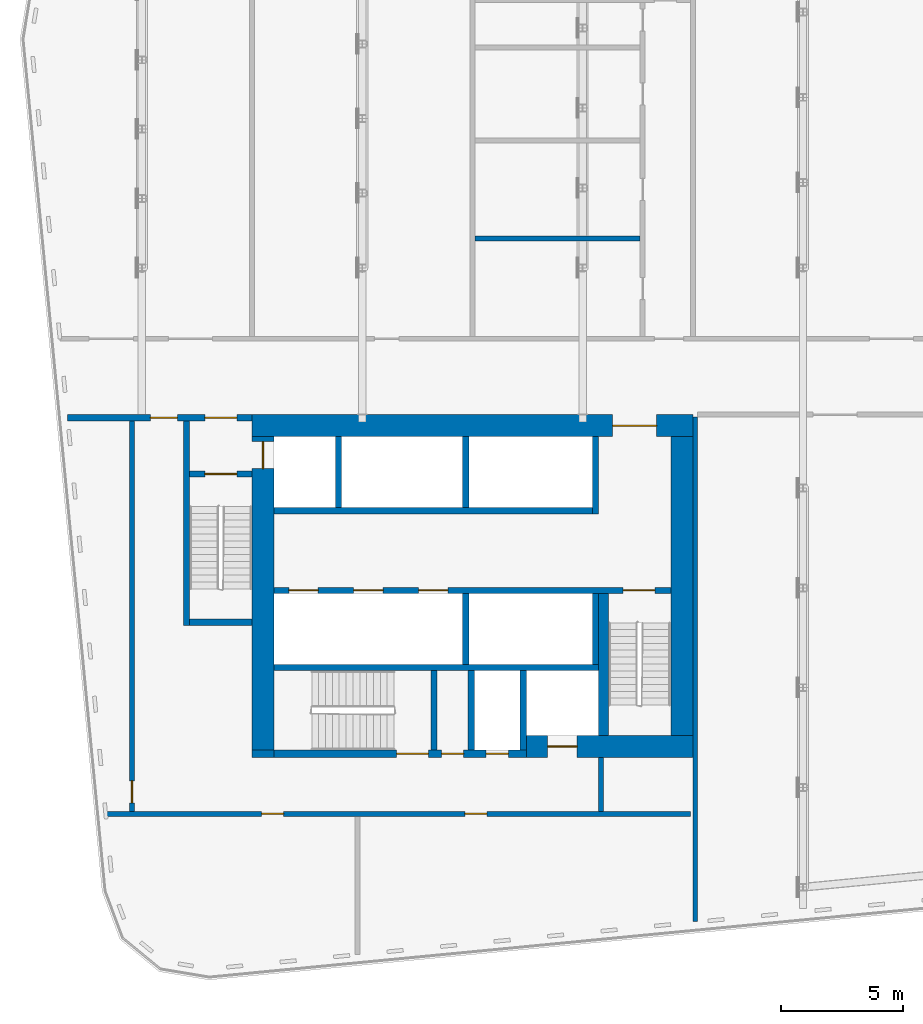
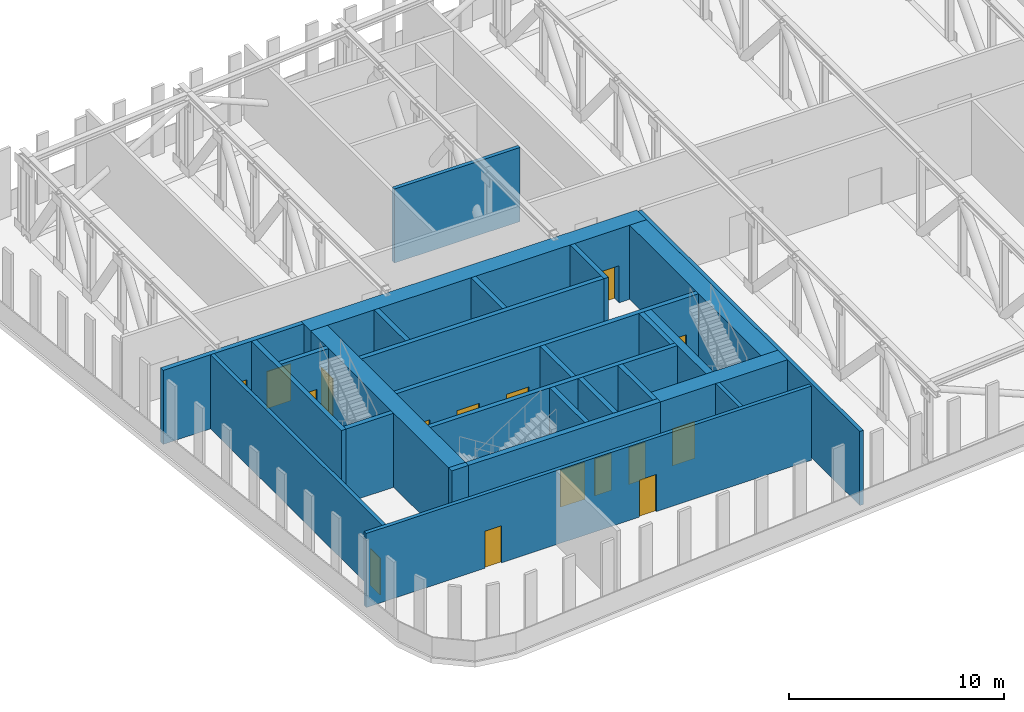
# One storey, part 8 of 22: 27 walls, 16 doors, 16 openings.
"""IFC4 building model written with IfcOpenShell, lengths in metres."""

from ifc_helpers import new_model, si_unit, direction, frame, frame_2d, origin, place, context, subcontext, project, spatial, rectangle, extrude, material, layer, layer_set, type_object, element, fill, save


model = new_model("IFC4")

# Units and contexts
model_context = context("Model", 3, precision=1e-05, world=origin(), true_north=direction((0.0, 1.0)))
body_context = subcontext(model_context, "Body", "Model", "MODEL_VIEW")
ifc_project = project(units=[si_unit("LENGTHUNIT", "METRE"), si_unit("AREAUNIT", "SQUARE_METRE"), si_unit("VOLUMEUNIT", "CUBIC_METRE"), si_unit("PLANEANGLEUNIT", "RADIAN"), si_unit("MASSUNIT", "GRAM", prefix="KILO")], contexts=[model_context])

# Site, building, storey
site_placement = place(None, origin())
site = spatial("IfcSite", under=ifc_project, at=site_placement, CompositionType="ELEMENT")
building_placement = place(site_placement, origin())
building = spatial("IfcBuilding", under=site, at=building_placement, Name="Kajstack Hotel Tower", CompositionType="ELEMENT")
storey_placement = place(building_placement, frame((0.0, 0.0, 150.39990234375)))
storey = spatial("IfcBuildingStorey", under=building, at=storey_placement, Name="L35", CompositionType="ELEMENT", Elevation=150.39990234375)

# Wall, opening, door
ifc_material_1 = material(Name="Concrete C60/75", Category="concrete")
ifc_layer_1 = layer(ifc_material_1, 0.89990234375)
ifc_layer_set_1 = layer_set([ifc_layer_1], Name="Core wall 900")
wall_type_1 = type_object("IfcWallType", Name="Core wall 900", PredefinedType="SHEAR", material=ifc_layer_set_1)
wall_1_placement = place(storey_placement, frame((-31.5, -1.949951171875, 0.0), z_axis=(0.0, 0.0, 1.0), x_axis=(1.0, 0.0, 0.0)))
wall_1 = element("IfcWall", 1, at=wall_1_placement, inside=storey, type_object=wall_type_1, Name="Core wall W RN", PredefinedType="SHEAR", context=body_context, shape_type="SweptSolid", body=[
    extrude(rectangle(XDim=18.0, YDim=0.89990234375, at=frame_2d((9.0, 0.0))), origin(), (0.0, 0.0, 1.0), 4.2001953125),
])
opening_1_placement = place(wall_1_placement, frame((14.72509765625, 0.0, 0.0)))
opening_1 = element("IfcOpeningElement", 2, at=opening_1_placement, cuts=wall_1, Name="Opening 35W06", PredefinedType="OPENING", context=body_context, shape_type="SweptSolid", body=[
    extrude(rectangle(XDim=1.800048828125, YDim=2.10009765625, at=frame_2d((0.89990234375, 1.050048828125))), frame((0.0, 0.4599609375, 0.0), z_axis=(0.0, -1.0, 0.0), x_axis=(1.0, 0.0, 0.0)), (0.0, 0.0, 1.0), 0.919921875),
])
ifc_material_2 = material(Name="Glazed steel frame, fire-rated glass", Category="steel")
door_type_1 = type_object("IfcDoorType", Name="Lobby double door 1800", OperationType="DOUBLE_DOOR_DOUBLE_SWING", PredefinedType="DOOR", material=ifc_material_2)
door_1_placement = place(opening_1_placement, origin())
door_1 = element("IfcDoor", 3, at=door_1_placement, inside=storey, type_object=door_type_1, Name="Door 35W06", OperationType="DOUBLE_DOOR_DOUBLE_SWING", OverallHeight=2.10009765625, OverallWidth=1.800048828125, PredefinedType="DOOR", context=body_context, shape_type="SweptSolid", body=[
    extrude(rectangle(XDim=1.800048828125, YDim=2.10009765625, at=frame_2d((0.89990234375, 1.050048828125))), frame((0.0, 0.02490234375, 0.0), z_axis=(0.0, -1.0, 0.0), x_axis=(1.0, 0.0, 0.0)), (0.0, 0.0, 1.0), 0.050048828125),
])
fill(opening_1, door_1)

wall_2_placement = place(storey_placement, frame((-20.300048828125, -15.050048828125, 0.0), z_axis=(0.0, 0.0, 1.0), x_axis=(1.0, 0.0, 0.0)))
wall_2 = element("IfcWall", 4, at=wall_2_placement, inside=storey, type_object=wall_type_1, Name="Core wall W RS", PredefinedType="SHEAR", context=body_context, shape_type="SweptSolid", body=[
    extrude(rectangle(XDim=6.800048828125, YDim=0.89990234375, at=frame_2d((3.39990234375, 0.0))), origin(), (0.0, 0.0, 1.0), 4.2001953125),
])
opening_2_placement = place(wall_2_placement, frame((0.875, 0.0, 0.0)))
opening_2 = element("IfcOpeningElement", 5, at=opening_2_placement, cuts=wall_2, Name="Opening LD-SV1", PredefinedType="OPENING", context=body_context, shape_type="SweptSolid", body=[
    extrude(rectangle(XDim=1.199951171875, YDim=2.10009765625, at=frame_2d((0.60009765625, 1.050048828125))), frame((0.0, 0.4599609375, 0.0), z_axis=(0.0, -1.0, 0.0), x_axis=(1.0, 0.0, 0.0)), (0.0, 0.0, 1.0), 0.919921875),
])
ifc_material_3 = material(Name="Stainless steel", Category="steel")
door_type_2 = type_object("IfcDoorType", Name="Lift landing door 1200", OperationType="SLIDING_TO_LEFT", PredefinedType="DOOR", material=ifc_material_3)
door_2_placement = place(opening_2_placement, origin())
door_2 = element("IfcDoor", 6, at=door_2_placement, inside=storey, type_object=door_type_2, Name="Landing door SV1", OperationType="SLIDING_TO_LEFT", OverallHeight=2.10009765625, OverallWidth=1.199951171875, PredefinedType="DOOR", context=body_context, shape_type="SweptSolid", body=[
    extrude(rectangle(XDim=1.199951171875, YDim=2.10009765625, at=frame_2d((0.60009765625, 1.050048828125))), frame((0.0, 0.02490234375, 0.0), z_axis=(0.0, -1.0, 0.0), x_axis=(1.0, 0.0, 0.0)), (0.0, 0.0, 1.0), 0.050048828125),
])
fill(opening_2, door_2)

# Wall
wall_3_placement = place(storey_placement, frame((-31.5, -15.35009765625, 0.0), z_axis=(0.0, 0.0, 1.0), x_axis=(1.0, 0.0, 0.0)))
element("IfcWall", 7, at=wall_3_placement, inside=storey, type_object=wall_type_1, Name="Core wall W RSW", PredefinedType="SHEAR", context=body_context, shape_type="SweptSolid", body=[
    extrude(rectangle(XDim=0.89990234375, YDim=0.300048828125, at=frame_2d((0.449951171875, 0.0))), origin(), (0.0, 0.0, 1.0), 4.2001953125),
])

# Wall, opening, door
wall_4_placement = place(storey_placement, frame((-31.050048828125, -15.199951171875, 0.0), z_axis=(0.0, 0.0, 1.0), x_axis=(0.0, 1.0, 0.0)))
wall_4 = element("IfcWall", 8, at=wall_4_placement, inside=storey, type_object=wall_type_1, Name="Core wall W RW", PredefinedType="SHEAR", context=body_context, shape_type="SweptSolid", body=[
    extrude(rectangle(XDim=12.800048828125, YDim=0.89990234375, at=frame_2d((6.39990234375, 0.0))), origin(), (0.0, 0.0, 1.0), 4.2001953125),
])
opening_3_placement = place(wall_4_placement, frame((11.5, 0.0, 0.0)))
opening_3 = element("IfcOpeningElement", 9, at=opening_3_placement, cuts=wall_4, Name="Opening LD-FF1", PredefinedType="OPENING", context=body_context, shape_type="SweptSolid", body=[
    extrude(rectangle(XDim=1.10009765625, YDim=2.10009765625, at=frame_2d((0.550048828125, 1.050048828125))), frame((0.0, 0.4599609375, 0.0), z_axis=(0.0, -1.0, 0.0), x_axis=(1.0, 0.0, 0.0)), (0.0, 0.0, 1.0), 0.919921875),
])
door_type_3 = type_object("IfcDoorType", Name="Fire-fighting lift landing door 1100", OperationType="SLIDING_TO_LEFT", PredefinedType="DOOR", material=ifc_material_3)
door_3_placement = place(opening_3_placement, origin())
door_3 = element("IfcDoor", 10, at=door_3_placement, inside=storey, type_object=door_type_3, Name="Landing door FF1", OperationType="SLIDING_TO_RIGHT", OverallHeight=2.10009765625, OverallWidth=1.10009765625, PredefinedType="DOOR", context=body_context, shape_type="SweptSolid", body=[
    extrude(rectangle(XDim=1.10009765625, YDim=2.10009765625, at=frame_2d((0.550048828125, 1.050048828125))), frame((0.0, 0.02490234375, 0.0), z_axis=(0.0, -1.0, 0.0), x_axis=(1.0, 0.0, 0.0)), (0.0, 0.0, 1.0), 0.050048828125),
])
fill(opening_3, door_3)

# Walls
wall_5_placement = place(storey_placement, frame((-13.949951171875, -14.60009765625, 0.0), z_axis=(0.0, 0.0, 1.0), x_axis=(0.0, 1.0, 0.0)))
element("IfcWall", 11, at=wall_5_placement, inside=storey, type_object=wall_type_1, Name="Core wall W RE", PredefinedType="SHEAR", context=body_context, shape_type="SweptSolid", body=[
    extrude(rectangle(XDim=12.2001953125, YDim=0.89990234375, at=frame_2d((6.10009765625, 0.0))), origin(), (0.0, 0.0, 1.0), 4.2001953125),
])
ifc_material_4 = material(Name="Concrete C50/60", Category="concrete")
ifc_layer_2 = layer(ifc_material_4, 0.300048828125)
ifc_layer_set_2 = layer_set([ifc_layer_2], Name="Hoistway divider wall 300")
wall_type_2 = type_object("IfcWallType", Name="Hoistway divider wall 300", PredefinedType="SHEAR", material=ifc_layer_set_2)
wall_6_placement = place(storey_placement, frame((-22.77490234375, -5.300048828125, 0.0), z_axis=(0.0, 0.0, 1.0), x_axis=(0.0, 1.0, 0.0)))
element("IfcWall", 12, at=wall_6_placement, inside=storey, type_object=wall_type_2, Name="Core wall W AP2", PredefinedType="SHEAR", context=body_context, shape_type="SweptSolid", body=[
    extrude(rectangle(XDim=2.900146484375, YDim=0.25, at=frame_2d((1.4501953125, 0.0))), origin(), (0.0, 0.0, 1.0), 4.2001953125),
])
wall_7_placement = place(storey_placement, frame((-22.77490234375, -11.699951171875, 0.0), z_axis=(0.0, 0.0, 1.0), x_axis=(0.0, 1.0, 0.0)))
element("IfcWall", 13, at=wall_7_placement, inside=storey, type_object=wall_type_2, Name="Core wall W BP2", PredefinedType="SHEAR", context=body_context, shape_type="SweptSolid", body=[
    extrude(rectangle(XDim=2.89990234375, YDim=0.25, at=frame_2d((1.449951171875, 0.0))), origin(), (0.0, 0.0, 1.0), 4.2001953125),
])
ifc_material_5 = material(Name="Gypsum board on steel studs, mineral wool", Category="steel")
ifc_layer_3 = layer(ifc_material_5, 0.199951171875)
ifc_layer_set_3 = layer_set([ifc_layer_3], Name="Public partition 200")
wall_type_3 = type_object("IfcWallType", Name="Public partition 200", PredefinedType="PARTITIONING", material=ifc_layer_set_3)
wall_8_placement = place(storey_placement, frame((-22.39990234375, 5.699951171875, 0.0), z_axis=(0.0, 0.0, 1.0), x_axis=(1.0, 0.0, 0.0)))
element("IfcWall", 14, at=wall_8_placement, inside=storey, type_object=wall_type_3, Name="Partition C1wP0", PredefinedType="PARTITIONING", context=body_context, shape_type="SweptSolid", body=[
    extrude(rectangle(XDim=6.75, YDim=0.199951171875, at=frame_2d((3.375, 0.0))), origin(), (0.0, 0.0, 1.0), 4.2001953125),
])
wall_9_placement = place(storey_placement, frame((-13.39990234375, -22.20361328125, 0.0), z_axis=(0.0, 0.0, 1.0), x_axis=(0.0, 1.0, 0.0)))
element("IfcWall", 15, at=wall_9_placement, inside=storey, type_object=wall_type_3, Name="Partition SEW", PredefinedType="PARTITIONING", context=body_context, shape_type="SweptSolid", body=[
    extrude(rectangle(XDim=20.603515625, YDim=0.199951171875, at=frame_2d((10.3017578125, 0.0))), origin(), (0.0, 0.0, 1.0), 4.2001953125),
])
ifc_material_6 = material(Name="Concrete block masonry", Category="masonry")
ifc_layer_4 = layer(ifc_material_6, 0.25)
ifc_layer_set_4 = layer_set([ifc_layer_4], Name="Riser partition 250")
wall_type_4 = type_object("IfcWallType", Name="Riser partition 250", PredefinedType="PARTITIONING", material=ifc_layer_set_4)
wall_10_placement = place(storey_placement, frame((-22.550048828125, -15.199951171875, 0.0), z_axis=(0.0, 0.0, 1.0), x_axis=(0.0, 1.0, 0.0)))
element("IfcWall", 16, at=wall_10_placement, inside=storey, type_object=wall_type_4, Name="Partition W SZ0", PredefinedType="PARTITIONING", context=body_context, shape_type="SweptSolid", body=[
    extrude(rectangle(XDim=3.25, YDim=0.25, at=frame_2d((1.625, 0.0))), origin(), (0.0, 0.0, 1.0), 4.2001953125),
])

# Wall, openings, doors
ifc_layer_5 = layer(ifc_material_5, 0.199951171875)
ifc_layer_set_5 = layer_set([ifc_layer_5], Name="Service partition 200")
wall_type_5 = type_object("IfcWallType", Name="Service partition 200", PredefinedType="PARTITIONING", material=ifc_layer_set_5)
wall_11_placement = place(storey_placement, frame((-39.034912109375, -1.625, 0.0), z_axis=(0.0, 0.0, 1.0), x_axis=(1.0, 0.0, 0.0)))
wall_11 = element("IfcWall", 17, at=wall_11_placement, inside=storey, type_object=wall_type_5, Name="Partition W SN", PredefinedType="PARTITIONING", context=body_context, shape_type="SweptSolid", body=[
    extrude(rectangle(XDim=7.534912109375, YDim=0.25, at=frame_2d((3.767578125, 0.0))), origin(), (0.0, 0.0, 1.0), 4.2001953125),
])
opening_4_placement = place(wall_11_placement, frame((5.60986328125, 0.0, 0.0)))
opening_4 = element("IfcOpeningElement", 18, at=opening_4_placement, cuts=wall_11, Name="Opening 35W07", PredefinedType="OPENING", context=body_context, shape_type="SweptSolid", body=[
    extrude(rectangle(XDim=1.300048828125, YDim=2.10009765625, at=frame_2d((0.64990234375, 1.050048828125))), frame((0.0, 0.135009765625, 0.0), z_axis=(0.0, -1.0, 0.0), x_axis=(1.0, 0.0, 0.0)), (0.0, 0.0, 1.0), 0.27001953125),
])
opening_5_placement = place(wall_11_placement, frame((3.384765625, 0.0, 0.0)))
opening_5 = element("IfcOpeningElement", 19, at=opening_5_placement, cuts=wall_11, Name="Opening 35W09", PredefinedType="OPENING", context=body_context, shape_type="SweptSolid", body=[
    extrude(rectangle(XDim=1.10009765625, YDim=2.10009765625, at=frame_2d((0.550048828125, 1.050048828125))), frame((0.0, 0.135009765625, 0.0), z_axis=(0.0, -1.0, 0.0), x_axis=(1.0, 0.0, 0.0)), (0.0, 0.0, 1.0), 0.27001953125),
])
ifc_material_7 = material(Name="Steel leaf, fire-rated", Category="steel")
door_type_4 = type_object("IfcDoorType", Name="Fire lobby door 1300", OperationType="SINGLE_SWING_LEFT", PredefinedType="DOOR", material=ifc_material_7)
door_4_placement = place(opening_4_placement, origin())
door_4 = element("IfcDoor", 20, at=door_4_placement, inside=storey, type_object=door_type_4, Name="Door 35W07", OperationType="SINGLE_SWING_RIGHT", OverallHeight=2.10009765625, OverallWidth=1.300048828125, PredefinedType="DOOR", context=body_context, shape_type="SweptSolid", body=[
    extrude(rectangle(XDim=1.300048828125, YDim=2.10009765625, at=frame_2d((0.64990234375, 1.050048828125))), frame((0.0, 0.02490234375, 0.0), z_axis=(0.0, -1.0, 0.0), x_axis=(1.0, 0.0, 0.0)), (0.0, 0.0, 1.0), 0.050048828125),
])
fill(opening_4, door_4)
ifc_material_8 = material(Name="Timber leaf, fire-rated", Category="wood")
door_type_5 = type_object("IfcDoorType", Name="Service corridor door 1100", OperationType="SINGLE_SWING_LEFT", PredefinedType="DOOR", material=ifc_material_8)
door_5_placement = place(opening_5_placement, origin())
door_5 = element("IfcDoor", 21, at=door_5_placement, inside=storey, type_object=door_type_5, Name="Door 35W09", OperationType="SINGLE_SWING_RIGHT", OverallHeight=2.10009765625, OverallWidth=1.10009765625, PredefinedType="DOOR", context=body_context, shape_type="SweptSolid", body=[
    extrude(rectangle(XDim=1.10009765625, YDim=2.10009765625, at=frame_2d((0.550048828125, 1.050048828125))), frame((0.0, 0.02490234375, 0.0), z_axis=(0.0, -1.0, 0.0), x_axis=(1.0, 0.0, 0.0)), (0.0, 0.0, 1.0), 0.050048828125),
])
fill(opening_5, door_5)

# Wall
wall_12_placement = place(storey_placement, frame((-17.25, -17.699951171875, 0.0), z_axis=(0.0, 0.0, 1.0), x_axis=(0.0, 1.0, 0.0)))
element("IfcWall", 22, at=wall_12_placement, inside=storey, type_object=wall_type_5, Name="Partition W SCE", PredefinedType="PARTITIONING", context=body_context, shape_type="SweptSolid", body=[
    extrude(rectangle(XDim=2.199951171875, YDim=0.199951171875, at=frame_2d((1.10009765625, 0.0))), origin(), (0.0, 0.0, 1.0), 4.2001953125),
])

# Wall, opening, door
wall_13_placement = place(storey_placement, frame((-36.39990234375, -17.699951171875, 0.0), z_axis=(0.0, 0.0, 1.0), x_axis=(0.0, 1.0, 0.0)))
wall_13 = element("IfcWall", 23, at=wall_13_placement, inside=storey, type_object=wall_type_5, Name="Partition W WRE", PredefinedType="PARTITIONING", context=body_context, shape_type="SweptSolid", body=[
    extrude(rectangle(XDim=15.949951171875, YDim=0.199951171875, at=frame_2d((7.97509765625, 0.0))), origin(), (0.0, 0.0, 1.0), 4.2001953125),
])
opening_6_placement = place(wall_13_placement, frame((0.35009765625, 0.0, 0.0)))
opening_6 = element("IfcOpeningElement", 24, at=opening_6_placement, cuts=wall_13, Name="Opening 35W16", PredefinedType="OPENING", context=body_context, shape_type="SweptSolid", body=[
    extrude(rectangle(XDim=0.89990234375, YDim=2.10009765625, at=frame_2d((0.449951171875, 1.050048828125))), frame((0.0, 0.10986328125, 0.0), z_axis=(0.0, -1.0, 0.0), x_axis=(1.0, 0.0, 0.0)), (0.0, 0.0, 1.0), 0.219970703125),
])
door_type_6 = type_object("IfcDoorType", Name="Service door 900", OperationType="SINGLE_SWING_LEFT", PredefinedType="DOOR", material=ifc_material_8)
door_6_placement = place(opening_6_placement, origin())
door_6 = element("IfcDoor", 25, at=door_6_placement, inside=storey, type_object=door_type_6, Name="Door 35W16", OperationType="SINGLE_SWING_LEFT", OverallHeight=2.10009765625, OverallWidth=0.89990234375, PredefinedType="DOOR", context=body_context, shape_type="SweptSolid", body=[
    extrude(rectangle(XDim=0.89990234375, YDim=2.10009765625, at=frame_2d((0.449951171875, 1.050048828125))), frame((0.0, 0.02490234375, 0.0), z_axis=(0.0, -1.0, 0.0), x_axis=(1.0, 0.0, 0.0)), (0.0, 0.0, 1.0), 0.050048828125),
])
fill(opening_6, door_6)

# Wall, openings, doors
wall_14_placement = place(storey_placement, frame((-37.477294921875, -17.800048828125, 0.0), z_axis=(0.0, 0.0, 1.0), x_axis=(1.0, 0.0, 0.0)))
wall_14 = element("IfcWall", 26, at=wall_14_placement, inside=storey, type_object=wall_type_5, Name="Partition W SLN", PredefinedType="PARTITIONING", context=body_context, shape_type="SweptSolid", body=[
    extrude(rectangle(XDim=23.877197265625, YDim=0.199951171875, at=frame_2d((11.9384765625, 0.0))), origin(), (0.0, 0.0, 1.0), 4.2001953125),
])
opening_7_placement = place(wall_14_placement, frame((6.364990234375, 0.0, 0.0)))
opening_7 = element("IfcOpeningElement", 27, at=opening_7_placement, cuts=wall_14, Name="Opening 35W14", PredefinedType="OPENING", context=body_context, shape_type="SweptSolid", body=[
    extrude(rectangle(XDim=0.89990234375, YDim=2.10009765625, at=frame_2d((0.449951171875, 1.050048828125))), frame((0.0, 0.10986328125, 0.0), z_axis=(0.0, -1.0, 0.0), x_axis=(1.0, 0.0, 0.0)), (0.0, 0.0, 1.0), 0.219970703125),
])
opening_8_placement = place(wall_14_placement, frame((14.664794921875, 0.0, 0.0)))
opening_8 = element("IfcOpeningElement", 28, at=opening_8_placement, cuts=wall_14, Name="Opening 35W15", PredefinedType="OPENING", context=body_context, shape_type="SweptSolid", body=[
    extrude(rectangle(XDim=0.89990234375, YDim=2.10009765625, at=frame_2d((0.449951171875, 1.050048828125))), frame((0.0, 0.10986328125, 0.0), z_axis=(0.0, -1.0, 0.0), x_axis=(1.0, 0.0, 0.0)), (0.0, 0.0, 1.0), 0.219970703125),
])
door_7_placement = place(opening_7_placement, origin())
door_7 = element("IfcDoor", 29, at=door_7_placement, inside=storey, type_object=door_type_6, Name="Door 35W14", OperationType="SINGLE_SWING_RIGHT", OverallHeight=2.10009765625, OverallWidth=0.89990234375, PredefinedType="DOOR", context=body_context, shape_type="SweptSolid", body=[
    extrude(rectangle(XDim=0.89990234375, YDim=2.10009765625, at=frame_2d((0.449951171875, 1.050048828125))), frame((0.0, 0.02490234375, 0.0), z_axis=(0.0, -1.0, 0.0), x_axis=(1.0, 0.0, 0.0)), (0.0, 0.0, 1.0), 0.050048828125),
])
fill(opening_7, door_7)
door_8_placement = place(opening_8_placement, origin())
door_8 = element("IfcDoor", 30, at=door_8_placement, inside=storey, type_object=door_type_6, Name="Door 35W15", OperationType="SINGLE_SWING_RIGHT", OverallHeight=2.10009765625, OverallWidth=0.89990234375, PredefinedType="DOOR", context=body_context, shape_type="SweptSolid", body=[
    extrude(rectangle(XDim=0.89990234375, YDim=2.10009765625, at=frame_2d((0.449951171875, 1.050048828125))), frame((0.0, 0.02490234375, 0.0), z_axis=(0.0, -1.0, 0.0), x_axis=(1.0, 0.0, 0.0)), (0.0, 0.0, 1.0), 0.050048828125),
])
fill(opening_8, door_8)

ifc_layer_6 = layer(ifc_material_4, 0.25)
ifc_layer_set_6 = layer_set([ifc_layer_6], Name="Shaft wall 250")
wall_type_6 = type_object("IfcWallType", Name="Shaft wall 250", PredefinedType="SHEAR", material=ifc_layer_set_6)
wall_15_placement = place(storey_placement, frame((-30.60009765625, -15.35009765625, 0.0), z_axis=(0.0, 0.0, 1.0), x_axis=(1.0, 0.0, 0.0)))
wall_15 = element("IfcWall", 31, at=wall_15_placement, inside=storey, type_object=wall_type_6, Name="Core wall W RSS", PredefinedType="SHEAR", context=body_context, shape_type="SweptSolid", body=[
    extrude(rectangle(XDim=10.300048828125, YDim=0.300048828125, at=frame_2d((5.14990234375, 0.0))), origin(), (0.0, 0.0, 1.0), 4.2001953125),
])
opening_9_placement = place(wall_15_placement, frame((5.0, 0.0, 0.0)))
opening_9 = element("IfcOpeningElement", 32, at=opening_9_placement, cuts=wall_15, Name="Opening 35W11", PredefinedType="OPENING", context=body_context, shape_type="SweptSolid", body=[
    extrude(rectangle(XDim=1.300048828125, YDim=2.10009765625, at=frame_2d((0.64990234375, 1.050048828125))), frame((0.0, 0.159912109375, 0.0), z_axis=(0.0, -1.0, 0.0), x_axis=(1.0, 0.0, 0.0)), (0.0, 0.0, 1.0), 0.320068359375),
])
opening_10_placement = place(wall_15_placement, frame((6.83740234375, 0.0, 0.0)))
opening_10 = element("IfcOpeningElement", 33, at=opening_10_placement, cuts=wall_15, Name="Opening 35W12", PredefinedType="OPENING", context=body_context, shape_type="SweptSolid", body=[
    extrude(rectangle(XDim=0.89990234375, YDim=2.10009765625, at=frame_2d((0.449951171875, 1.050048828125))), frame((0.0, 0.159912109375, 0.0), z_axis=(0.0, -1.0, 0.0), x_axis=(1.0, 0.0, 0.0)), (0.0, 0.0, 1.0), 0.320068359375),
])
opening_11_placement = place(wall_15_placement, frame((8.66259765625, 0.0, 0.0)))
opening_11 = element("IfcOpeningElement", 34, at=opening_11_placement, cuts=wall_15, Name="Opening 35W13", PredefinedType="OPENING", context=body_context, shape_type="SweptSolid", body=[
    extrude(rectangle(XDim=0.89990234375, YDim=2.10009765625, at=frame_2d((0.449951171875, 1.050048828125))), frame((0.0, 0.159912109375, 0.0), z_axis=(0.0, -1.0, 0.0), x_axis=(1.0, 0.0, 0.0)), (0.0, 0.0, 1.0), 0.320068359375),
])
door_type_7 = type_object("IfcDoorType", Name="Riser door 900", OperationType="SINGLE_SWING_LEFT", PredefinedType="DOOR", material=ifc_material_7)
door_9_placement = place(opening_11_placement, origin())
door_9 = element("IfcDoor", 35, at=door_9_placement, inside=storey, type_object=door_type_7, Name="Door 35W13", OperationType="SINGLE_SWING_LEFT", OverallHeight=2.10009765625, OverallWidth=0.89990234375, PredefinedType="DOOR", context=body_context, shape_type="SweptSolid", body=[
    extrude(rectangle(XDim=0.89990234375, YDim=2.10009765625, at=frame_2d((0.449951171875, 1.050048828125))), frame((0.0, 0.02490234375, 0.0), z_axis=(0.0, -1.0, 0.0), x_axis=(1.0, 0.0, 0.0)), (0.0, 0.0, 1.0), 0.050048828125),
])
fill(opening_11, door_9)
door_10_placement = place(opening_10_placement, origin())
door_10 = element("IfcDoor", 36, at=door_10_placement, inside=storey, type_object=door_type_6, Name="Door 35W12", OperationType="SINGLE_SWING_LEFT", OverallHeight=2.10009765625, OverallWidth=0.89990234375, PredefinedType="DOOR", context=body_context, shape_type="SweptSolid", body=[
    extrude(rectangle(XDim=0.89990234375, YDim=2.10009765625, at=frame_2d((0.449951171875, 1.050048828125))), frame((0.0, 0.02490234375, 0.0), z_axis=(0.0, -1.0, 0.0), x_axis=(1.0, 0.0, 0.0)), (0.0, 0.0, 1.0), 0.050048828125),
])
fill(opening_10, door_10)
door_type_8 = type_object("IfcDoorType", Name="Stair door 1300", OperationType="SINGLE_SWING_LEFT", PredefinedType="DOOR", material=ifc_material_7)
door_11_placement = place(opening_9_placement, origin())
door_11 = element("IfcDoor", 37, at=door_11_placement, inside=storey, type_object=door_type_8, Name="Door 35W11", OperationType="SINGLE_SWING_RIGHT", OverallHeight=2.10009765625, OverallWidth=1.300048828125, PredefinedType="DOOR", context=body_context, shape_type="SweptSolid", body=[
    extrude(rectangle(XDim=1.300048828125, YDim=2.10009765625, at=frame_2d((0.64990234375, 1.050048828125))), frame((0.0, 0.02490234375, 0.0), z_axis=(0.0, -1.0, 0.0), x_axis=(1.0, 0.0, 0.0)), (0.0, 0.0, 1.0), 0.050048828125),
])
fill(opening_9, door_11)

# Walls
wall_16_placement = place(storey_placement, frame((-30.60009765625, -5.425048828125, 0.0), z_axis=(0.0, 0.0, 1.0), x_axis=(1.0, 0.0, 0.0)))
element("IfcWall", 38, at=wall_16_placement, inside=storey, type_object=wall_type_6, Name="Core wall W FA", PredefinedType="SHEAR", context=body_context, shape_type="SweptSolid", body=[
    extrude(rectangle(XDim=13.0, YDim=0.25, at=frame_2d((6.5, 0.0))), origin(), (0.0, 0.0, 1.0), 4.2001953125),
])
wall_17_placement = place(storey_placement, frame((-17.47509765625, -5.550048828125, 0.0), z_axis=(0.0, 0.0, 1.0), x_axis=(0.0, 1.0, 0.0)))
element("IfcWall", 39, at=wall_17_placement, inside=storey, type_object=wall_type_6, Name="Core wall W AE", PredefinedType="SHEAR", context=body_context, shape_type="SweptSolid", body=[
    extrude(rectangle(XDim=3.150146484375, YDim=0.25, at=frame_2d((1.5751953125, 0.0))), origin(), (0.0, 0.0, 1.0), 4.2001953125),
])
wall_18_placement = place(storey_placement, frame((-27.97509765625, -5.300048828125, 0.0), z_axis=(0.0, 0.0, 1.0), x_axis=(0.0, 1.0, 0.0)))
element("IfcWall", 40, at=wall_18_placement, inside=storey, type_object=wall_type_6, Name="Core wall W AP0", PredefinedType="SHEAR", context=body_context, shape_type="SweptSolid", body=[
    extrude(rectangle(XDim=2.900146484375, YDim=0.25, at=frame_2d((1.4501953125, 0.0))), origin(), (0.0, 0.0, 1.0), 4.2001953125),
])

# Wall, openings, doors
wall_19_placement = place(storey_placement, frame((-30.60009765625, -8.675048828125, 0.0), z_axis=(0.0, 0.0, 1.0), x_axis=(1.0, 0.0, 0.0)))
wall_19 = element("IfcWall", 41, at=wall_19_placement, inside=storey, type_object=wall_type_6, Name="Core wall W FB", PredefinedType="SHEAR", context=body_context, shape_type="SweptSolid", body=[
    extrude(rectangle(XDim=16.2001953125, YDim=0.25, at=frame_2d((8.10009765625, 0.0))), origin(), (0.0, 0.0, 1.0), 4.2001953125),
])
opening_12_placement = place(wall_19_placement, frame((0.60009765625, 0.0, 0.0)))
opening_12 = element("IfcOpeningElement", 42, at=opening_12_placement, cuts=wall_19, Name="Opening LD-LR1", PredefinedType="OPENING", context=body_context, shape_type="SweptSolid", body=[
    extrude(rectangle(XDim=1.199951171875, YDim=2.10009765625, at=frame_2d((0.60009765625, 1.050048828125))), frame((0.0, 0.135009765625, 0.0), z_axis=(0.0, -1.0, 0.0), x_axis=(1.0, 0.0, 0.0)), (0.0, 0.0, 1.0), 0.27001953125),
])
opening_13_placement = place(wall_19_placement, frame((3.25, 0.0, 0.0)))
opening_13 = element("IfcOpeningElement", 43, at=opening_13_placement, cuts=wall_19, Name="Opening LD-LR2", PredefinedType="OPENING", context=body_context, shape_type="SweptSolid", body=[
    extrude(rectangle(XDim=1.199951171875, YDim=2.10009765625, at=frame_2d((0.60009765625, 1.050048828125))), frame((0.0, 0.135009765625, 0.0), z_axis=(0.0, -1.0, 0.0), x_axis=(1.0, 0.0, 0.0)), (0.0, 0.0, 1.0), 0.27001953125),
])
opening_14_placement = place(wall_19_placement, frame((5.89990234375, 0.0, 0.0)))
opening_14 = element("IfcOpeningElement", 44, at=opening_14_placement, cuts=wall_19, Name="Opening LD-LR3", PredefinedType="OPENING", context=body_context, shape_type="SweptSolid", body=[
    extrude(rectangle(XDim=1.199951171875, YDim=2.10009765625, at=frame_2d((0.60009765625, 1.050048828125))), frame((0.0, 0.135009765625, 0.0), z_axis=(0.0, -1.0, 0.0), x_axis=(1.0, 0.0, 0.0)), (0.0, 0.0, 1.0), 0.27001953125),
])
opening_15_placement = place(wall_19_placement, frame((14.25, 0.0, 0.0)))
opening_15 = element("IfcOpeningElement", 45, at=opening_15_placement, cuts=wall_19, Name="Opening 35W10", PredefinedType="OPENING", context=body_context, shape_type="SweptSolid", body=[
    extrude(rectangle(XDim=1.300048828125, YDim=2.10009765625, at=frame_2d((0.64990234375, 1.050048828125))), frame((0.0, 0.135009765625, 0.0), z_axis=(0.0, -1.0, 0.0), x_axis=(1.0, 0.0, 0.0)), (0.0, 0.0, 1.0), 0.27001953125),
])
door_12_placement = place(opening_12_placement, origin())
door_12 = element("IfcDoor", 46, at=door_12_placement, inside=storey, type_object=door_type_2, Name="Landing door LR1", OperationType="SLIDING_TO_LEFT", OverallHeight=2.10009765625, OverallWidth=1.199951171875, PredefinedType="DOOR", context=body_context, shape_type="SweptSolid", body=[
    extrude(rectangle(XDim=1.199951171875, YDim=2.10009765625, at=frame_2d((0.60009765625, 1.050048828125))), frame((0.0, 0.02490234375, 0.0), z_axis=(0.0, -1.0, 0.0), x_axis=(1.0, 0.0, 0.0)), (0.0, 0.0, 1.0), 0.050048828125),
])
fill(opening_12, door_12)
door_13_placement = place(opening_13_placement, origin())
door_13 = element("IfcDoor", 47, at=door_13_placement, inside=storey, type_object=door_type_2, Name="Landing door LR2", OperationType="SLIDING_TO_RIGHT", OverallHeight=2.10009765625, OverallWidth=1.199951171875, PredefinedType="DOOR", context=body_context, shape_type="SweptSolid", body=[
    extrude(rectangle(XDim=1.199951171875, YDim=2.10009765625, at=frame_2d((0.60009765625, 1.050048828125))), frame((0.0, 0.02490234375, 0.0), z_axis=(0.0, -1.0, 0.0), x_axis=(1.0, 0.0, 0.0)), (0.0, 0.0, 1.0), 0.050048828125),
])
fill(opening_13, door_13)
door_14_placement = place(opening_14_placement, origin())
door_14 = element("IfcDoor", 48, at=door_14_placement, inside=storey, type_object=door_type_2, Name="Landing door LR3", OperationType="SLIDING_TO_RIGHT", OverallHeight=2.10009765625, OverallWidth=1.199951171875, PredefinedType="DOOR", context=body_context, shape_type="SweptSolid", body=[
    extrude(rectangle(XDim=1.199951171875, YDim=2.10009765625, at=frame_2d((0.60009765625, 1.050048828125))), frame((0.0, 0.02490234375, 0.0), z_axis=(0.0, -1.0, 0.0), x_axis=(1.0, 0.0, 0.0)), (0.0, 0.0, 1.0), 0.050048828125),
])
fill(opening_14, door_14)
door_15_placement = place(opening_15_placement, origin())
door_15 = element("IfcDoor", 49, at=door_15_placement, inside=storey, type_object=door_type_8, Name="Door 35W10", OperationType="SINGLE_SWING_RIGHT", OverallHeight=2.10009765625, OverallWidth=1.300048828125, PredefinedType="DOOR", context=body_context, shape_type="SweptSolid", body=[
    extrude(rectangle(XDim=1.300048828125, YDim=2.10009765625, at=frame_2d((0.64990234375, 1.050048828125))), frame((0.0, 0.02490234375, 0.0), z_axis=(0.0, -1.0, 0.0), x_axis=(1.0, 0.0, 0.0)), (0.0, 0.0, 1.0), 0.050048828125),
])
fill(opening_15, door_15)

# Walls
wall_20_placement = place(storey_placement, frame((-30.60009765625, -11.824951171875, 0.0), z_axis=(0.0, 0.0, 1.0), x_axis=(1.0, 0.0, 0.0)))
element("IfcWall", 50, at=wall_20_placement, inside=storey, type_object=wall_type_6, Name="Core wall W RB", PredefinedType="SHEAR", context=body_context, shape_type="SweptSolid", body=[
    extrude(rectangle(XDim=13.25, YDim=0.25, at=frame_2d((6.625, 0.0))), origin(), (0.0, 0.0, 1.0), 4.2001953125),
])
wall_21_placement = place(storey_placement, frame((-17.47509765625, -11.699951171875, 0.0), z_axis=(0.0, 0.0, 1.0), x_axis=(0.0, 1.0, 0.0)))
element("IfcWall", 51, at=wall_21_placement, inside=storey, type_object=wall_type_6, Name="Core wall W BE", PredefinedType="SHEAR", context=body_context, shape_type="SweptSolid", body=[
    extrude(rectangle(XDim=2.89990234375, YDim=0.25, at=frame_2d((1.449951171875, 0.0))), origin(), (0.0, 0.0, 1.0), 4.2001953125),
])
wall_22_placement = place(storey_placement, frame((-20.425048828125, -15.199951171875, 0.0), z_axis=(0.0, 0.0, 1.0), x_axis=(0.0, 1.0, 0.0)))
element("IfcWall", 52, at=wall_22_placement, inside=storey, type_object=wall_type_6, Name="Core wall W SVW", PredefinedType="SHEAR", context=body_context, shape_type="SweptSolid", body=[
    extrude(rectangle(XDim=3.25, YDim=0.25, at=frame_2d((1.625, 0.0))), origin(), (0.0, 0.0, 1.0), 4.2001953125),
])

# Wall, opening, door
ifc_material_9 = material(Name="Concrete C40/50", Category="concrete")
ifc_layer_7 = layer(ifc_material_9, 0.25)
ifc_layer_set_7 = layer_set([ifc_layer_7], Name="Stair enclosure wall 250")
wall_type_7 = type_object("IfcWallType", Name="Stair enclosure wall 250", PredefinedType="SHEAR", material=ifc_layer_set_7)
wall_23_placement = place(storey_placement, frame((-34.050048828125, -3.925048828125, 0.0), z_axis=(0.0, 0.0, 1.0), x_axis=(1.0, 0.0, 0.0)))
wall_23 = element("IfcWall", 53, at=wall_23_placement, inside=storey, type_object=wall_type_7, Name="Core wall W W1N", PredefinedType="SHEAR", context=body_context, shape_type="SweptSolid", body=[
    extrude(rectangle(XDim=2.550048828125, YDim=0.25, at=frame_2d((1.27490234375, 0.0))), origin(), (0.0, 0.0, 1.0), 4.2001953125),
])
opening_16_placement = place(wall_23_placement, frame((0.625, 0.0, 0.0)))
opening_16 = element("IfcOpeningElement", 54, at=opening_16_placement, cuts=wall_23, Name="Opening 35W08", PredefinedType="OPENING", context=body_context, shape_type="SweptSolid", body=[
    extrude(rectangle(XDim=1.300048828125, YDim=2.10009765625, at=frame_2d((0.64990234375, 1.050048828125))), frame((0.0, 0.135009765625, 0.0), z_axis=(0.0, -1.0, 0.0), x_axis=(1.0, 0.0, 0.0)), (0.0, 0.0, 1.0), 0.27001953125),
])
door_16_placement = place(opening_16_placement, origin())
door_16 = element("IfcDoor", 55, at=door_16_placement, inside=storey, type_object=door_type_8, Name="Door 35W08", OperationType="SINGLE_SWING_RIGHT", OverallHeight=2.10009765625, OverallWidth=1.300048828125, PredefinedType="DOOR", context=body_context, shape_type="SweptSolid", body=[
    extrude(rectangle(XDim=1.300048828125, YDim=2.10009765625, at=frame_2d((0.64990234375, 1.050048828125))), frame((0.0, 0.02490234375, 0.0), z_axis=(0.0, -1.0, 0.0), x_axis=(1.0, 0.0, 0.0)), (0.0, 0.0, 1.0), 0.050048828125),
])
fill(opening_16, door_16)

# Walls
wall_24_placement = place(storey_placement, frame((-34.175048828125, -10.10009765625, 0.0), z_axis=(0.0, 0.0, 1.0), x_axis=(0.0, 1.0, 0.0)))
element("IfcWall", 56, at=wall_24_placement, inside=storey, type_object=wall_type_7, Name="Core wall W W1W", PredefinedType="SHEAR", context=body_context, shape_type="SweptSolid", body=[
    extrude(rectangle(XDim=8.35009765625, YDim=0.25, at=frame_2d((4.175048828125, 0.0))), origin(), (0.0, 0.0, 1.0), 4.2001953125),
])
wall_25_placement = place(storey_placement, frame((-34.050048828125, -9.97509765625, 0.0), z_axis=(0.0, 0.0, 1.0), x_axis=(1.0, 0.0, 0.0)))
element("IfcWall", 57, at=wall_25_placement, inside=storey, type_object=wall_type_7, Name="Core wall W W1S", PredefinedType="SHEAR", context=body_context, shape_type="SweptSolid", body=[
    extrude(rectangle(XDim=2.550048828125, YDim=0.25, at=frame_2d((1.27490234375, 0.0))), origin(), (0.0, 0.0, 1.0), 4.2001953125),
])
ifc_layer_8 = layer(ifc_material_4, 0.35009765625)
ifc_layer_set_8 = layer_set([ifc_layer_8], Name="Stair enclosure wall 350")
wall_type_8 = type_object("IfcWallType", Name="Stair enclosure wall 350", PredefinedType="SHEAR", material=ifc_layer_set_8)
wall_26_placement = place(storey_placement, frame((-24.074951171875, -15.199951171875, 0.0), z_axis=(0.0, 0.0, 1.0), x_axis=(0.0, 1.0, 0.0)))
element("IfcWall", 58, at=wall_26_placement, inside=storey, type_object=wall_type_8, Name="Core wall W W3E", PredefinedType="SHEAR", context=body_context, shape_type="SweptSolid", body=[
    extrude(rectangle(XDim=3.25, YDim=0.25, at=frame_2d((1.625, 0.0))), origin(), (0.0, 0.0, 1.0), 4.2001953125),
])
ifc_layer_9 = layer(ifc_material_4, 0.39990234375)
ifc_layer_set_9 = layer_set([ifc_layer_9], Name="Stair wall 400")
wall_type_9 = type_object("IfcWallType", Name="Stair wall 400", PredefinedType="SHEAR", material=ifc_layer_set_9)
wall_27_placement = place(storey_placement, frame((-17.14990234375, -14.60009765625, 0.0), z_axis=(0.0, 0.0, 1.0), x_axis=(0.0, 1.0, 0.0)))
element("IfcWall", 59, at=wall_27_placement, inside=storey, type_object=wall_type_9, Name="Core wall W WW2", PredefinedType="SHEAR", context=body_context, shape_type="SweptSolid", body=[
    extrude(rectangle(XDim=5.800048828125, YDim=0.39990234375, at=frame_2d((2.89990234375, 0.0))), origin(), (0.0, 0.0, 1.0), 4.2001953125),
])

save(model, "model.ifc")
